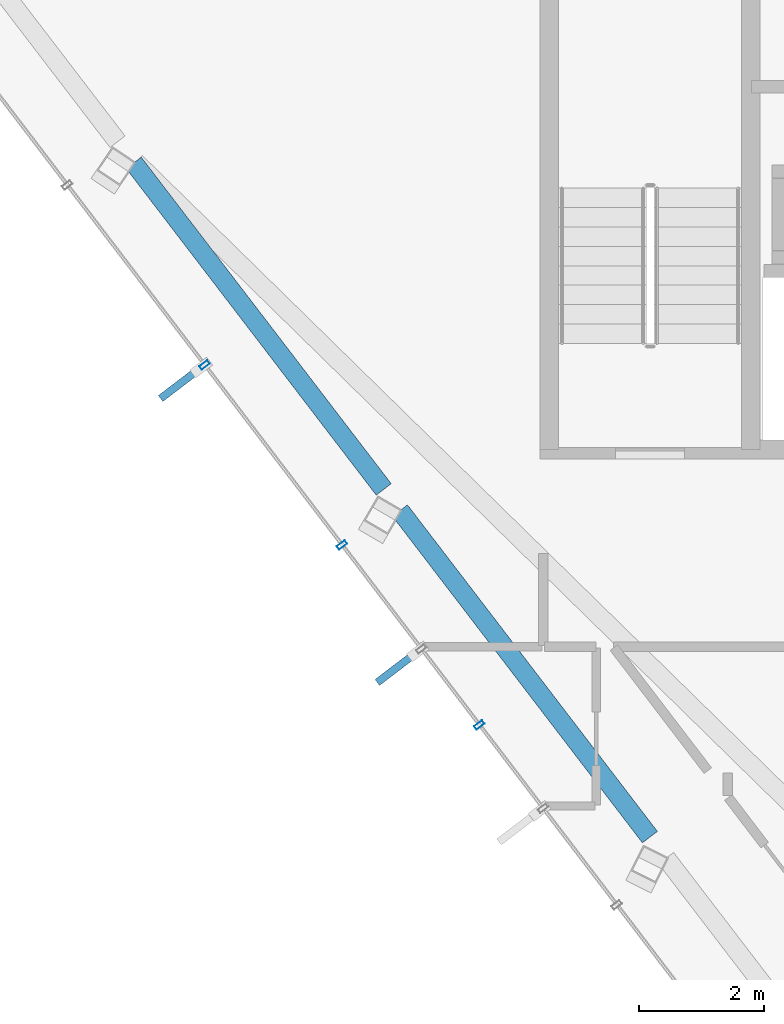
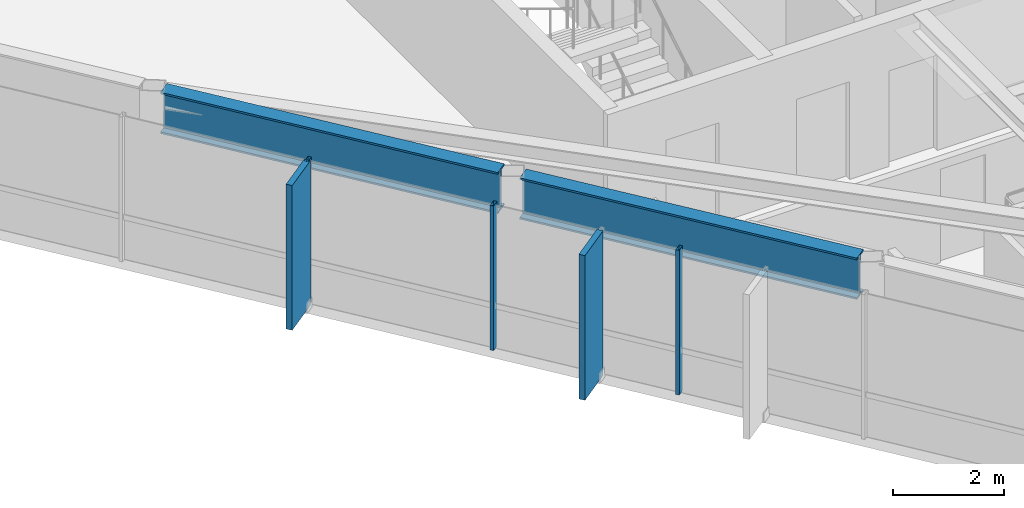
# One storey, part 3 of 22: 5 members, 2 beams, 1 element without a shape of its own.
"""IFC4 building model written with IfcOpenShell, lengths in metres."""

import ifcopenshell
import ifcopenshell.guid

model = None  # the IFC model being written
_history = None  # IfcOwnerHistory: only IFC2X3 demands one
_inside = {}  # id of a spatial element -> (the spatial element, [elements in it])
_under = {}  # id of a project, library or spatial element -> (it, [spatial elements below it])
_declared = {}  # id of a project -> (the project, [libraries it declares])
_typed = {}  # id of a type object -> (the type object, [elements of that type])
_made_of = {}  # id of a material, layer set ... -> (it, [elements and type objects made of it])


def new_model(schema):
    """Start an empty IFC model of exactly this schema.

    Asked for "IFC4X3", IfcOpenShell would pick the latest addendum, in which some entities
    have other attributes; the version numbers below select the first issue.
    IFC2X3 requires an IfcOwnerHistory on every rooted entity: one is made here for all.
    """
    global model, _history
    if schema == "IFC4X3":
        model = ifcopenshell.file(schema_version=(4, 3, 0, 0))
    else:
        model = ifcopenshell.file(schema=schema)
    _inside.clear()
    _under.clear()
    _declared.clear()
    _typed.clear()
    _made_of.clear()
    _history = None
    if model.schema == "IFC2X3":
        org = make("IfcOrganization", Name="unknown")
        user = make(
            "IfcPersonAndOrganization",
            ThePerson=make("IfcPerson", FamilyName="unknown"),
            TheOrganization=org,
        )
        app = make(
            "IfcApplication",
            ApplicationDeveloper=org,
            Version="unknown",
            ApplicationFullName="unknown",
            ApplicationIdentifier="unknown",
        )
        _history = make(
            "IfcOwnerHistory",
            OwningUser=user,
            OwningApplication=app,
            ChangeAction="ADDED",
            CreationDate=0,
        )
    return model


def make(cls, **values):
    """One entity of the class cls with the attributes given. An attribute that is None is left unset."""
    return model.create_entity(
        cls, **{name: value for name, value in values.items() if value is not None}
    )


def rooted(cls, **values):
    """An entity with a GlobalId (a new one), such as an element, a storey or a relation."""
    return make(cls, GlobalId=ifcopenshell.guid.new(), OwnerHistory=_history, **values)


def si_unit(unit_type, name, prefix=None):
    """IfcSIUnit, for example si_unit("LENGTHUNIT", "METRE", prefix="MILLI")."""
    return make("IfcSIUnit", UnitType=unit_type, Prefix=prefix, Name=name)


def assignment(units):
    """IfcUnitAssignment: the units of a project."""
    return None if units is None else make("IfcUnitAssignment", Units=units)


def point(xyz):
    """IfcCartesianPoint."""
    return None if xyz is None else make("IfcCartesianPoint", Coordinates=xyz)


def direction(xyz):
    """IfcDirection."""
    return None if xyz is None else make("IfcDirection", DirectionRatios=xyz)


def frame(location, z_axis=None, x_axis=None):
    """IfcAxis2Placement3D, a coordinate frame: its origin and axes. An axis left out is left unset."""
    return make(
        "IfcAxis2Placement3D",
        Location=point(location),
        Axis=direction(z_axis),
        RefDirection=direction(x_axis),
    )


def frame_2d(location, x_axis=None):
    """IfcAxis2Placement2D, a coordinate frame in the plane: its origin and x axis."""
    return make(
        "IfcAxis2Placement2D", Location=point(location), RefDirection=direction(x_axis)
    )


def origin():
    """The frame at (0, 0, 0) with its axes left unset."""
    return frame((0.0, 0.0, 0.0))


def origin_2d():
    """The frame at (0, 0) in the plane with its x axis left unset."""
    return frame_2d((0.0, 0.0))


def place(relative_to, where):
    """IfcLocalPlacement: puts the frame where relative to a parent placement (None: the world)."""
    return make(
        "IfcLocalPlacement", PlacementRelTo=relative_to, RelativePlacement=where
    )


def context(
    kind, dimensions, precision=None, world=None, true_north=None, identifier=None
):
    """IfcGeometricRepresentationContext, for example the 3D "Model" context."""
    return make(
        "IfcGeometricRepresentationContext",
        ContextIdentifier=identifier,
        ContextType=kind,
        CoordinateSpaceDimension=dimensions,
        Precision=precision,
        WorldCoordinateSystem=world,
        TrueNorth=true_north,
    )


def subcontext(parent, identifier, kind, view, scale=None):
    """IfcGeometricRepresentationSubContext, for example "Body" below "Model"."""
    return make(
        "IfcGeometricRepresentationSubContext",
        ContextIdentifier=identifier,
        ContextType=kind,
        ParentContext=parent,
        TargetScale=scale,
        TargetView=view,
    )


def project(units=None, contexts=None):
    """IfcProject with its units and contexts."""
    return rooted(
        "IfcProject",
        Name="project",
        RepresentationContexts=contexts,
        UnitsInContext=assignment(units),
    )


def spatial(cls, under=None, at=None, **own):
    """A site, building, storey or space (cls), placed at a placement, below another one or the project."""
    s = rooted(cls, ObjectPlacement=at, **own)
    if under is not None:
        _under.setdefault(under.id(), (under, []))[1].append(s)
    return s


def profile(cls, at=None, kind="AREA", **sizes):
    """A parametric profile (cls). Its sizes go by their IFC names, for example OverallWidth=200.0."""
    return make(cls, ProfileType=kind, Position=at, **sizes)


def rectangle(**sizes):
    """IfcRectangleProfileDef."""
    return profile("IfcRectangleProfileDef", **sizes)


def hollow_rectangle(**sizes):
    """IfcRectangleHollowProfileDef."""
    return profile("IfcRectangleHollowProfileDef", **sizes)


def i_section(**sizes):
    """IfcIShapeProfileDef."""
    return profile("IfcIShapeProfileDef", **sizes)


def extrude(swept, where, along, depth):
    """IfcExtrudedAreaSolid: the profile swept, set in the frame where, extruded along a direction by depth."""
    return make(
        "IfcExtrudedAreaSolid",
        SweptArea=swept,
        Position=where,
        ExtrudedDirection=direction(along),
        Depth=depth,
    )


def shape(context_of_items, identifier, shape_type, items):
    """IfcShapeRepresentation: the items that make up one representation, for example the "Body"."""
    return make(
        "IfcShapeRepresentation",
        ContextOfItems=context_of_items,
        RepresentationIdentifier=identifier,
        RepresentationType=shape_type,
        Items=items,
    )


def material(Name=None, Category=None):
    """IfcMaterial."""
    return make("IfcMaterial", Name=Name, Category=Category)


def layer(
    of_material, thickness, ventilated=None, Name=None, Category=None, Priority=None
):
    """IfcMaterialLayer: one layer of a wall or slab, of a material (None: an air gap)."""
    return make(
        "IfcMaterialLayer",
        Material=of_material,
        LayerThickness=thickness,
        IsVentilated=ventilated,
        Name=Name,
        Category=Category,
        Priority=Priority,
    )


def layer_set(layers, Name=None):
    """IfcMaterialLayerSet."""
    return make("IfcMaterialLayerSet", MaterialLayers=layers, LayerSetName=Name)


def material_profile(
    of_material, cross_section, Name=None, Category=None, Priority=None
):
    """IfcMaterialProfile: a cross section and its material."""
    return make(
        "IfcMaterialProfile",
        Name=Name,
        Material=of_material,
        Profile=cross_section,
        Priority=Priority,
        Category=Category,
    )


def profile_set(profiles, Name=None, composite=None):
    """IfcMaterialProfileSet."""
    return make(
        "IfcMaterialProfileSet",
        Name=Name,
        MaterialProfiles=profiles,
        CompositeProfile=composite,
    )


def made_of(thing, what):
    """Note that an element or type object is made of a material, layer set ...; save() writes the relation."""
    if what is not None:
        _made_of.setdefault(what.id(), (what, []))[1].append(thing)
    return thing


def type_object(cls, material=None, **own):
    """A type object (cls), such as IfcWallType, which elements share."""
    return made_of(rooted(cls, **own), material)


def element(
    cls,
    number,
    at=None,
    inside=None,
    cuts=None,
    type_object=None,
    material=None,
    context=None,
    identifier="Body",
    shape_type=None,
    held_by="IfcProductDefinitionShape",
    body=None,
    shapes=None,
    **own,
):
    """One element of the class cls, such as IfcWall. Its Tag is "e" and its number.

    at: its placement. inside: the storey or other place that contains it. cuts: it is an
    opening in that element (IfcRelVoidsElement). A single representation is given by context,
    identifier, shape_type and body (its items); several are given by shapes. held_by: the class
    of the entity that holds the representations. save() writes the other relations.
    """
    e = rooted(cls, Tag="e%d" % number, ObjectPlacement=at, **own)
    if body is not None:
        shapes = [shape(context, identifier, shape_type, body)]
    if shapes is not None:
        e.Representation = make(held_by, Representations=shapes)
    if inside is not None:
        _inside.setdefault(inside.id(), (inside, []))[1].append(e)
    if cuts is not None:
        rooted(
            "IfcRelVoidsElement", RelatingBuildingElement=cuts, RelatedOpeningElement=e
        )
    if type_object is not None:
        _typed.setdefault(type_object.id(), (type_object, []))[1].append(e)
    return made_of(e, material)


def aggregate(whole, parts):
    """IfcRelAggregates: a whole, such as a stair, and the parts it consists of."""
    return rooted("IfcRelAggregates", RelatingObject=whole, RelatedObjects=parts)


def save(model, path):
    """Write the relations noted so far, then the file.

    IfcRelAggregates (storeys below a building ...), IfcRelContainedInSpatialStructure (elements
    in a storey), IfcRelDefinesByType, IfcRelAssociatesMaterial and IfcRelDeclares: one each for
    every whole, place, type object, material and project.
    """
    for whole, parts in _under.values():
        aggregate(whole, parts)
    for where, things in _inside.values():
        rooted(
            "IfcRelContainedInSpatialStructure",
            RelatedElements=things,
            RelatingStructure=where,
        )
    for kind, things in _typed.values():
        rooted("IfcRelDefinesByType", RelatedObjects=things, RelatingType=kind)
    for what, things in _made_of.values():
        rooted("IfcRelAssociatesMaterial", RelatedObjects=things, RelatingMaterial=what)
    for by, libraries in _declared.values():
        rooted("IfcRelDeclares", RelatingContext=by, RelatedDefinitions=libraries)
    model.write(path)


model = new_model("IFC4")

# Units and contexts
model_context = context("Model", 3, precision=1e-05, world=origin(), true_north=direction((0.0, 1.0)))
body_context = subcontext(model_context, "Body", "Model", "MODEL_VIEW")
ifc_project = project(units=[si_unit("LENGTHUNIT", "METRE"), si_unit("AREAUNIT", "SQUARE_METRE"), si_unit("VOLUMEUNIT", "CUBIC_METRE"), si_unit("PLANEANGLEUNIT", "RADIAN"), si_unit("MASSUNIT", "GRAM", prefix="KILO")], contexts=[model_context])

# Site, building, storey
site_placement = place(None, origin())
site = spatial("IfcSite", under=ifc_project, at=site_placement, CompositionType="ELEMENT")
building_placement = place(site_placement, origin())
building = spatial("IfcBuilding", under=site, at=building_placement, Name="Zarrinselat Tower", CompositionType="ELEMENT")
storey_placement = place(building_placement, frame((0.0, 0.0, 295.800048828125)))
storey = spatial("IfcBuildingStorey", under=building, at=storey_placement, Name="L76", CompositionType="ELEMENT", Elevation=295.800048828125)

# Beams
ifc_material_1 = material(Name="Steel S460M", Category="steel")
ifc_material_profile_1 = material_profile(ifc_material_1, i_section(OverallWidth=0.302001953125, OverallDepth=0.909912109375, WebThickness=0.02099609375, FlangeThickness=0.0400390625, at=origin_2d()), Name="HEM 900")
ifc_profile_set_1 = profile_set([ifc_material_profile_1], Name="Steel S460M")
beam_type = type_object("IfcBeamType", Name="BM-HEM900", PredefinedType="BEAM", material=ifc_profile_set_1)
beam_1_placement = place(storey_placement, frame((22.0029296875, 37.885498046875, 2.724853515625), z_axis=(0.607893681854, -0.794018432759, 0.0), x_axis=(0.794018432759, 0.607893681854, 0.0)))
element("IfcBeam", 1, at=beam_1_placement, inside=storey, type_object=beam_type, Name="L76 Perimeter Spandrel Girder SP07", PredefinedType="BEAM", context=body_context, shape_type="SweptSolid", body=[
    extrude(i_section(OverallWidth=0.302001953125, OverallDepth=0.909912109375, WebThickness=0.02099609375, FlangeThickness=0.0400390625, at=origin_2d()), origin(), (0.0, 0.0, 1.0), 6.576904296875),
])
beam_2_placement = place(storey_placement, frame((26.260009765625, 32.3251953125, 2.724853515625), z_axis=(0.607875764703, -0.794032149656, 0.0), x_axis=(0.794032149656, 0.607875764703, 0.0)))
element("IfcBeam", 2, at=beam_2_placement, inside=storey, type_object=beam_type, Name="L76 Perimeter Spandrel Girder SP08", PredefinedType="BEAM", context=body_context, shape_type="SweptSolid", body=[
    extrude(i_section(OverallWidth=0.302001953125, OverallDepth=0.909912109375, WebThickness=0.02099609375, FlangeThickness=0.0400390625, at=origin_2d()), origin(), (0.0, 0.0, 1.0), 6.5771484375),
])

# Curtain wall, members
ifc_material_2 = material(Name="Extruded Aluminium Alloy EN AW-6063 T6", Category="aluminium")
ifc_layer = layer(ifc_material_2, 0.169921875)
ifc_layer_set = layer_set([ifc_layer], Name="Extruded Aluminium Alloy EN AW-6063 T6")
curtain_wall_type = type_object("IfcCurtainWallType", Name="CWS-RES", PredefinedType="NOTDEFINED", material=ifc_layer_set)
curtain_wall_placement = place(storey_placement, origin())
curtain_wall = element("IfcCurtainWall", 3, at=curtain_wall_placement, inside=storey, type_object=curtain_wall_type, Name="L76 Unitised Curtain Wall CW-L76-E03", PredefinedType="NOTDEFINED")
ifc_material_3 = material(Name="Extruded Aluminium Alloy EN AW-6063 T6", Category="aluminium")
ifc_material_profile_2 = material_profile(ifc_material_3, hollow_rectangle(XDim=0.070068359375, YDim=0.159912109375, WallThickness=0.00390625, at=origin_2d()), Name="RHS 160x70x4")
ifc_profile_set_2 = profile_set([ifc_material_profile_2], Name="Extruded Aluminium Alloy EN AW-6063 T6")
member_type_1 = type_object("IfcMemberType", Name="MEM-CW-MUL2", PredefinedType="MULLION", material=ifc_profile_set_2)
member_1_placement = place(storey_placement, frame((23.136474609375, 34.65380859375, 0.0), z_axis=(0.0, 0.0, 1.0), x_axis=(0.606801746242, -0.794853219631, 0.0)))
member_1 = element("IfcMember", 4, at=member_1_placement, type_object=member_type_1, Name="CW-L76-E03 Mullion 3", PredefinedType="MULLION", context=body_context, shape_type="SweptSolid", body=[
    extrude(hollow_rectangle(XDim=0.070068359375, YDim=0.159912109375, WallThickness=0.00390625, at=origin_2d()), origin(), (0.0, 0.0, 1.0), 3.179931640625),
])
member_2_placement = place(storey_placement, frame((25.33349609375, 31.77587890625, 0.0), z_axis=(0.0, 0.0, 1.0), x_axis=(0.606801746242, -0.794853219631, 0.0)))
member_2 = element("IfcMember", 5, at=member_2_placement, type_object=member_type_1, Name="CW-L76-E03 Mullion 4", PredefinedType="MULLION", context=body_context, shape_type="SweptSolid", body=[
    extrude(hollow_rectangle(XDim=0.070068359375, YDim=0.159912109375, WallThickness=0.00390625, at=origin_2d()), origin(), (0.0, 0.0, 1.0), 3.179931640625),
])
member_3_placement = place(storey_placement, frame((27.530517578125, 28.89794921875, 0.0), z_axis=(0.0, 0.0, 1.0), x_axis=(0.606801746242, -0.794853219631, 0.0)))
member_3 = element("IfcMember", 6, at=member_3_placement, type_object=member_type_1, Name="CW-L76-E03 Mullion 6", PredefinedType="MULLION", context=body_context, shape_type="SweptSolid", body=[
    extrude(hollow_rectangle(XDim=0.070068359375, YDim=0.159912109375, WallThickness=0.00390625, at=origin_2d()), origin(), (0.0, 0.0, 1.0), 3.179931640625),
])
ifc_material_4 = material(Name="Honed Cream Travertine Stone", Category="masonry")
ifc_material_profile_3 = material_profile(ifc_material_4, rectangle(XDim=0.1201171875, YDim=0.85009765625, at=origin_2d()), Name="FIN 850x120")
ifc_profile_set_3 = profile_set([ifc_material_profile_3], Name="Honed Cream Travertine Stone")
member_type_2 = type_object("IfcMemberType", Name="MEM-STONE-FIN", PredefinedType="USERDEFINED", material=ifc_profile_set_3)
member_4_placement = place(storey_placement, frame((22.770751953125, 34.374755859375, 0.0), z_axis=(0.0, 0.0, 1.0), x_axis=(-0.606801746242, 0.794853219631, 0.0)))
member_4 = element("IfcMember", 7, at=member_4_placement, type_object=member_type_2, Name="L76 Stone Shading Fin CW-L76-E03-03", ObjectType="FIN", PredefinedType="USERDEFINED", context=body_context, shape_type="SweptSolid", body=[
    extrude(rectangle(XDim=0.1201171875, YDim=0.85009765625, at=origin_2d()), origin(), (0.0, 0.0, 1.0), 3.179931640625),
])
member_5_placement = place(storey_placement, frame((26.23681640625, 29.83447265625, 0.0), z_axis=(0.0, 0.0, 1.0), x_axis=(-0.606801746242, 0.794853219631, 0.0)))
member_5 = element("IfcMember", 8, at=member_5_placement, type_object=member_type_2, Name="L76 Stone Shading Fin CW-L76-E03-05", ObjectType="FIN", PredefinedType="USERDEFINED", context=body_context, shape_type="SweptSolid", body=[
    extrude(rectangle(XDim=0.1201171875, YDim=0.85009765625, at=origin_2d()), origin(), (0.0, 0.0, 1.0), 3.179931640625),
])
aggregate(curtain_wall, [member_1, member_4, member_2, member_5, member_3])

save(model, "model.ifc")
